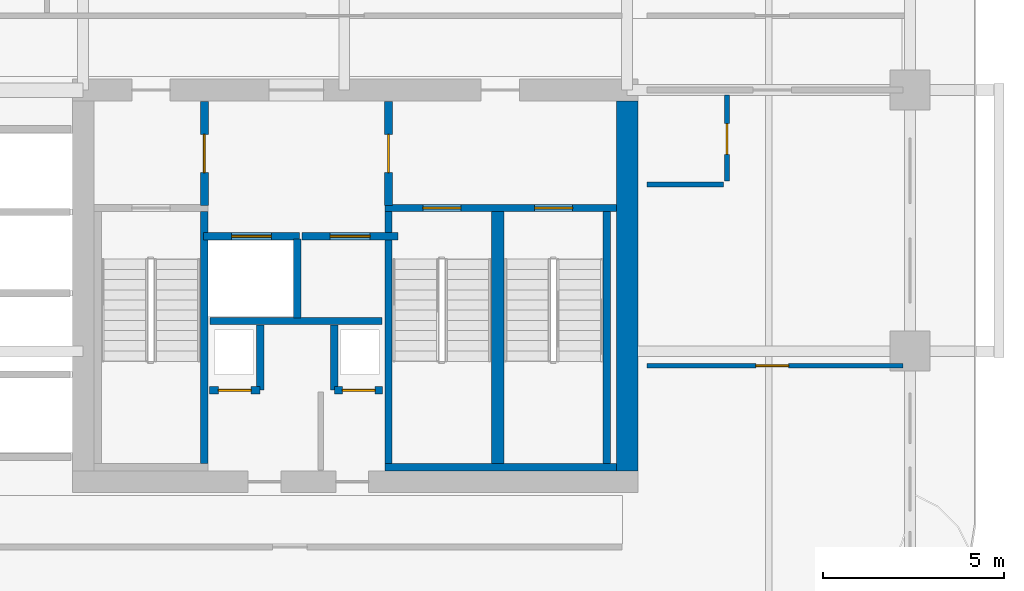
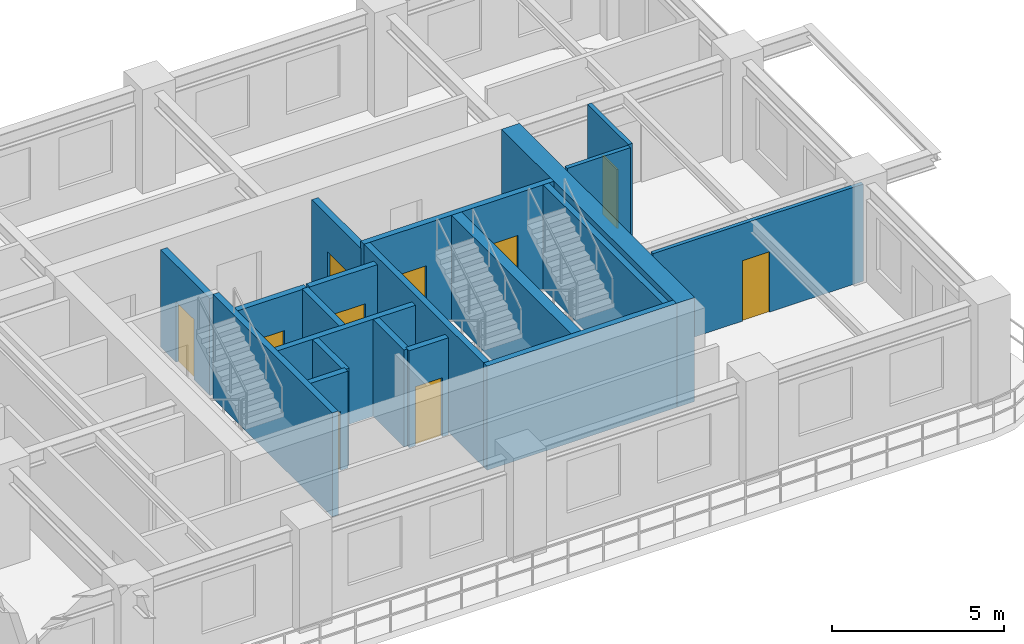
# One storey, part 8 of 18: 20 walls, 10 doors, 10 openings.
"""IFC4 building model written with IfcOpenShell, lengths in metres."""

from ifc_helpers import new_model, si_unit, derived_unit, direction, frame, frame_2d, origin, place, context, subcontext, project, spatial, rectangle, extrude, source, transform, mapped, material, layer, layer_set, type_object, type_shapes, element, fill, save


model = new_model("IFC4")

# Units and contexts
model_context = context("Model", 3, precision=1e-05, world=origin(), true_north=direction((0.0, 1.0)))
body_context = subcontext(model_context, "Body", "Model", "MODEL_VIEW")
ifc_project = project(units=[si_unit("LENGTHUNIT", "METRE"), si_unit("AREAUNIT", "SQUARE_METRE"), si_unit("VOLUMEUNIT", "CUBIC_METRE"), si_unit("PLANEANGLEUNIT", "RADIAN"), si_unit("MASSUNIT", "GRAM", prefix="KILO"), si_unit("THERMODYNAMICTEMPERATUREUNIT", "KELVIN"), si_unit("POWERUNIT", "WATT"), derived_unit("THERMALTRANSMITTANCEUNIT", [(si_unit("POWERUNIT", "WATT"), 1), (si_unit("AREAUNIT", "SQUARE_METRE"), -1), (si_unit("THERMODYNAMICTEMPERATUREUNIT", "KELVIN"), -1)])], contexts=[model_context])

# Site, building, storey
site_placement = place(None, origin())
site = spatial("IfcSite", under=ifc_project, at=site_placement, CompositionType="ELEMENT")
building_placement = place(site_placement, origin())
building = spatial("IfcBuilding", under=site, at=building_placement, Name="Zahravan Archway Hotel and Residences", CompositionType="ELEMENT")
storey_placement = place(building_placement, frame((0.0, 0.0, 58.300048828125)))
storey = spatial("IfcBuildingStorey", under=building, at=storey_placement, Name="L13", CompositionType="ELEMENT", Elevation=58.300048828125)

# Wall
ifc_material_1 = material(Name="Concrete C70/85", Category="concrete")
ifc_layer_1 = layer(ifc_material_1, 0.60009765625, Name="Concrete C70/85", Category="concrete")
ifc_layer_set_1 = layer_set([ifc_layer_1], Name="Concrete C70/85")
wall_type_1 = type_object("IfcWallType", Name="CW-CORE-600", PredefinedType="SHEAR", material=ifc_layer_set_1)
wall_1_placement = place(storey_placement, frame((49.800048828125, 3.89990234375, 0.0), z_axis=(0.0, 0.0, 1.0), x_axis=(0.0, 1.0, 0.0)))
element("IfcWall", 1, at=wall_1_placement, inside=storey, type_object=wall_type_1, Name="L13 Core A Shear E Wall 600 mm", PredefinedType="SHEAR", context=body_context, shape_type="SweptSolid", body=[
    extrude(rectangle(XDim=10.2001953125, YDim=0.60009765625, at=frame_2d((5.10009765625, 0.0))), origin(), (0.0, 0.0, 1.0), 3.699951171875),
])

# Wall, opening, door
ifc_material_2 = material(Name="Fire-Rated Gypsum & Concrete Block", Category="concrete")
ifc_layer_2 = layer(ifc_material_2, 0.219970703125, Name="Fire-Rated Gypsum & Concrete Block", Category="concrete")
ifc_layer_set_2 = layer_set([ifc_layer_2], Name="Fire-Rated Gypsum & Concrete Block")
wall_type_2 = type_object("IfcWallType", Name="PW-COMP-220", PredefinedType="PARTITIONING", material=ifc_layer_set_2)
wall_2_placement = place(storey_placement, frame((38.139892578125, 11.219970703125, 0.0), z_axis=(0.0, 0.0, 1.0), x_axis=(0.0, 1.0, 0.0)))
wall_2 = element("IfcWall", 2, at=wall_2_placement, inside=storey, type_object=wall_type_2, Name="L13 Partition CA-LOBW", PredefinedType="PARTITIONING", context=body_context, shape_type="SweptSolid", body=[
    extrude(rectangle(XDim=2.860107421875, YDim=0.219970703125, at=frame_2d((1.43017578125, 0.0))), origin(), (0.0, 0.0, 1.0), 3.449951171875),
])
opening_1_placement = place(wall_2_placement, frame((0.905029296875, 0.0, 0.0)))
opening_1 = element("IfcOpeningElement", 3, at=opening_1_placement, cuts=wall_2, Name="Opening FD-L2", PredefinedType="OPENING", context=body_context, shape_type="SweptSolid", body=[
    extrude(rectangle(XDim=1.050048828125, YDim=2.14990234375, at=frame_2d((0.52490234375, 1.074951171875))), frame((0.0, 0.1201171875, 0.0), z_axis=(0.0, -1.0, 0.0), x_axis=(1.0, 0.0, 0.0)), (0.0, 0.0, 1.0), 0.239990234375),
])
ifc_material_3 = material(Name="Fire-Rated Painted Steel", Category="steel")
door_type_1 = type_object("IfcDoorType", Name="FD-LOBBY-1100", OperationType="NOTDEFINED", PredefinedType="DOOR", material=ifc_material_3)
shared_shape_1 = source(origin(), body_context, "Body", "SweptSolid", [
    extrude(rectangle(XDim=1.050048828125, YDim=2.14990234375, at=frame_2d((0.52490234375, 1.074951171875))), frame((0.0, 0.02490234375, 0.0), z_axis=(0.0, -1.0, 0.0), x_axis=(1.0, 0.0, 0.0)), (0.0, 0.0, 1.0), 0.050048828125),
])
type_shapes(door_type_1, [shared_shape_1])
door_1_placement = place(opening_1_placement, origin())
door_1 = element("IfcDoor", 4, at=door_1_placement, inside=storey, type_object=door_type_1, Name="L13 Core A West Stair to FSAE Lobby Door", OperationType="SINGLE_SWING_LEFT", OverallHeight=2.14990234375, OverallWidth=1.050048828125, PredefinedType="DOOR", context=body_context, shape_type="MappedRepresentation", body=[
    mapped(shared_shape_1, transform((0.0, 0.0, 0.0), scale=1.0)),
])
fill(opening_1, door_1)

wall_3_placement = place(storey_placement, frame((43.219970703125, 11.219970703125, 0.0), z_axis=(0.0, 0.0, 1.0), x_axis=(0.0, 1.0, 0.0)))
wall_3 = element("IfcWall", 5, at=wall_3_placement, inside=storey, type_object=wall_type_2, Name="L13 Partition CA-LOBE", PredefinedType="PARTITIONING", context=body_context, shape_type="SweptSolid", body=[
    extrude(rectangle(XDim=2.860107421875, YDim=0.219970703125, at=frame_2d((1.43017578125, 0.0))), origin(), (0.0, 0.0, 1.0), 3.449951171875),
])
opening_2_placement = place(wall_3_placement, frame((0.905029296875, 0.0, 0.0)))
opening_2 = element("IfcOpeningElement", 6, at=opening_2_placement, cuts=wall_3, Name="Opening FD-L2", PredefinedType="OPENING", context=body_context, shape_type="SweptSolid", body=[
    extrude(rectangle(XDim=1.050048828125, YDim=2.14990234375, at=frame_2d((0.52490234375, 1.074951171875))), frame((0.0, 0.1201171875, 0.0), z_axis=(0.0, -1.0, 0.0), x_axis=(1.0, 0.0, 0.0)), (0.0, 0.0, 1.0), 0.239990234375),
])
door_2_placement = place(opening_2_placement, origin())
door_2 = element("IfcDoor", 7, at=door_2_placement, inside=storey, type_object=door_type_1, Name="L13 Core A East Stair to FSAE Lobby Door", OperationType="SINGLE_SWING_RIGHT", OverallHeight=2.14990234375, OverallWidth=1.050048828125, PredefinedType="DOOR", context=body_context, shape_type="MappedRepresentation", body=[
    mapped(shared_shape_1, transform((0.0, 0.0, 0.0), scale=1.0)),
])
fill(opening_2, door_2)

ifc_material_4 = material(Name="Acoustic Stud Partition")
ifc_layer_3 = layer(ifc_material_4, 0.125, Name="Acoustic Stud Partition")
ifc_layer_set_3 = layer_set([ifc_layer_3], Name="Acoustic Stud Partition")
wall_type_3 = type_object("IfcWallType", Name="PW-INT-125", PredefinedType="PARTITIONING", material=ifc_layer_set_3)
wall_4_placement = place(storey_placement, frame((50.340087890625, 6.800048828125, 0.0), z_axis=(0.0, 0.0, 1.0), x_axis=(1.0, 0.0, 0.0)))
wall_4 = element("IfcWall", 8, at=wall_4_placement, inside=storey, type_object=wall_type_3, Name="L13 Partition EA-PM", PredefinedType="PARTITIONING", context=body_context, shape_type="SweptSolid", body=[
    extrude(rectangle(XDim=7.06982421875, YDim=0.125, at=frame_2d((3.534912109375, 0.0))), origin(), (0.0, 0.0, 1.0), 3.449951171875),
])
opening_3_placement = place(wall_4_placement, frame((3.010009765625, 0.0, 0.0)))
opening_3 = element("IfcOpeningElement", 9, at=opening_3_placement, cuts=wall_4, Name="Opening D-I2", PredefinedType="OPENING", context=body_context, shape_type="SweptSolid", body=[
    extrude(rectangle(XDim=0.89990234375, YDim=2.14990234375, at=frame_2d((0.449951171875, 1.074951171875))), frame((0.0, 0.072509765625, 0.0), z_axis=(0.0, -1.0, 0.0), x_axis=(1.0, 0.0, 0.0)), (0.0, 0.0, 1.0), 0.14501953125),
])
ifc_material_5 = material(Name="Hardwood Veneer Timber", Category="wood")
door_type_2 = type_object("IfcDoorType", Name="ID-INT-900", OperationType="NOTDEFINED", PredefinedType="DOOR", material=ifc_material_5)
shared_shape_2 = source(origin(), body_context, "Body", "SweptSolid", [
    extrude(rectangle(XDim=0.89990234375, YDim=2.14990234375, at=frame_2d((0.449951171875, 1.074951171875))), frame((0.0, 0.02490234375, 0.0), z_axis=(0.0, -1.0, 0.0), x_axis=(1.0, 0.0, 0.0)), (0.0, 0.0, 1.0), 0.050048828125),
])
type_shapes(door_type_2, [shared_shape_2])
door_3_placement = place(opening_3_placement, origin())
door_3 = element("IfcDoor", 10, at=door_3_placement, inside=storey, type_object=door_type_2, Name="L13 East Suite Bedroom Door", OperationType="SINGLE_SWING_LEFT", OverallHeight=2.14990234375, OverallWidth=0.89990234375, PredefinedType="DOOR", context=body_context, shape_type="MappedRepresentation", body=[
    mapped(shared_shape_2, transform((0.0, 0.0, 0.0), scale=1.0)),
])
fill(opening_3, door_3)

# Walls
ifc_layer_4 = layer(ifc_material_2, 0.199951171875, Name="Fire-Rated Gypsum & Concrete Block", Category="concrete")
ifc_layer_set_4 = layer_set([ifc_layer_4], Name="Fire-Rated Gypsum & Concrete Block")
wall_type_4 = type_object("IfcWallType", Name="PW-SHAFT-200", PredefinedType="PARTITIONING", material=ifc_layer_set_4)
wall_5_placement = place(storey_placement, frame((38.300048828125, 8.030029296875, 0.0), z_axis=(0.0, 0.0, 1.0), x_axis=(1.0, 0.0, 0.0)))
element("IfcWall", 11, at=wall_5_placement, inside=storey, type_object=wall_type_4, Name="L13 Partition CA-FLS", PredefinedType="PARTITIONING", context=body_context, shape_type="SweptSolid", body=[
    extrude(rectangle(XDim=4.739990234375, YDim=0.199951171875, at=frame_2d((2.3701171875, 0.0))), origin(), (0.0, 0.0, 1.0), 3.449951171875),
])
wall_6_placement = place(storey_placement, frame((40.699951171875, 8.1201171875, 0.0), z_axis=(0.0, 0.0, 1.0), x_axis=(0.0, 1.0, 0.0)))
element("IfcWall", 12, at=wall_6_placement, inside=storey, type_object=wall_type_4, Name="L13 Partition CA-FLM", PredefinedType="PARTITIONING", context=body_context, shape_type="SweptSolid", body=[
    extrude(rectangle(XDim=2.179931640625, YDim=0.199951171875, at=frame_2d((1.08984375, 0.0))), origin(), (0.0, 0.0, 1.0), 3.449951171875),
])

# Wall, opening, door
wall_7_placement = place(storey_placement, frame((38.2900390625, 6.1201171875, 0.0), z_axis=(0.0, 0.0, 1.0), x_axis=(1.0, 0.0, 0.0)))
wall_7 = element("IfcWall", 13, at=wall_7_placement, inside=storey, type_object=wall_type_4, Name="L13 Partition CA-SMKS", PredefinedType="PARTITIONING", context=body_context, shape_type="SweptSolid", body=[
    extrude(rectangle(XDim=1.3798828125, YDim=0.199951171875, at=frame_2d((0.68994140625, 0.0))), origin(), (0.0, 0.0, 1.0), 3.449951171875),
])
opening_4_placement = place(wall_7_placement, frame((0.239990234375, 0.0, 0.0)))
opening_4 = element("IfcOpeningElement", 14, at=opening_4_placement, cuts=wall_7, Name="Opening FD-R1", PredefinedType="OPENING", context=body_context, shape_type="SweptSolid", body=[
    extrude(rectangle(XDim=0.89990234375, YDim=2.10009765625, at=frame_2d((0.449951171875, 1.050048828125))), frame((0.0, 0.10986328125, 0.0), z_axis=(0.0, -1.0, 0.0), x_axis=(1.0, 0.0, 0.0)), (0.0, 0.0, 1.0), 0.219970703125),
])
door_type_3 = type_object("IfcDoorType", Name="FD-RISER-900", OperationType="NOTDEFINED", PredefinedType="DOOR", material=ifc_material_3)
shared_shape_3 = source(origin(), body_context, "Body", "SweptSolid", [
    extrude(rectangle(XDim=0.89990234375, YDim=2.10009765625, at=frame_2d((0.449951171875, 1.050048828125))), frame((0.0, 0.02490234375, 0.0), z_axis=(0.0, -1.0, 0.0), x_axis=(1.0, 0.0, 0.0)), (0.0, 0.0, 1.0), 0.050048828125),
])
type_shapes(door_type_3, [shared_shape_3])
door_4_placement = place(opening_4_placement, origin())
door_4 = element("IfcDoor", 15, at=door_4_placement, inside=storey, type_object=door_type_3, Name="L13 Smoke Riser Access Door", OperationType="SINGLE_SWING_LEFT", OverallHeight=2.10009765625, OverallWidth=0.89990234375, PredefinedType="DOOR", context=body_context, shape_type="MappedRepresentation", body=[
    mapped(shared_shape_3, transform((0.0, 0.0, 0.0), scale=1.0)),
])
fill(opening_4, door_4)

# Wall
wall_8_placement = place(storey_placement, frame((39.679931640625, 6.1298828125, 0.0), z_axis=(0.0, 0.0, 1.0), x_axis=(0.0, 1.0, 0.0)))
element("IfcWall", 16, at=wall_8_placement, inside=storey, type_object=wall_type_4, Name="L13 Partition CA-SMKE", PredefinedType="PARTITIONING", context=body_context, shape_type="SweptSolid", body=[
    extrude(rectangle(XDim=1.7900390625, YDim=0.199951171875, at=frame_2d((0.89501953125, 0.0))), origin(), (0.0, 0.0, 1.0), 3.449951171875),
])

# Wall, opening, door
wall_9_placement = place(storey_placement, frame((41.72998046875, 6.1201171875, 0.0), z_axis=(0.0, 0.0, 1.0), x_axis=(1.0, 0.0, 0.0)))
wall_9 = element("IfcWall", 17, at=wall_9_placement, inside=storey, type_object=wall_type_4, Name="L13 Partition CA-MEPS", PredefinedType="PARTITIONING", context=body_context, shape_type="SweptSolid", body=[
    extrude(rectangle(XDim=1.320068359375, YDim=0.199951171875, at=frame_2d((0.66015625, 0.0))), origin(), (0.0, 0.0, 1.0), 3.449951171875),
])
opening_5_placement = place(wall_9_placement, frame((0.219970703125, 0.0, 0.0)))
opening_5 = element("IfcOpeningElement", 18, at=opening_5_placement, cuts=wall_9, Name="Opening FD-R1", PredefinedType="OPENING", context=body_context, shape_type="SweptSolid", body=[
    extrude(rectangle(XDim=0.89990234375, YDim=2.10009765625, at=frame_2d((0.449951171875, 1.050048828125))), frame((0.0, 0.10986328125, 0.0), z_axis=(0.0, -1.0, 0.0), x_axis=(1.0, 0.0, 0.0)), (0.0, 0.0, 1.0), 0.219970703125),
])
door_5_placement = place(opening_5_placement, origin())
door_5 = element("IfcDoor", 19, at=door_5_placement, inside=storey, type_object=door_type_3, Name="L13 MEP Riser Access Door", OperationType="SINGLE_SWING_RIGHT", OverallHeight=2.10009765625, OverallWidth=0.89990234375, PredefinedType="DOOR", context=body_context, shape_type="MappedRepresentation", body=[
    mapped(shared_shape_3, transform((0.0, 0.0, 0.0), scale=1.0)),
])
fill(opening_5, door_5)

# Wall
wall_10_placement = place(storey_placement, frame((41.719970703125, 6.1298828125, 0.0), z_axis=(0.0, 0.0, 1.0), x_axis=(0.0, 1.0, 0.0)))
element("IfcWall", 20, at=wall_10_placement, inside=storey, type_object=wall_type_4, Name="L13 Partition CA-MEPW", PredefinedType="PARTITIONING", context=body_context, shape_type="SweptSolid", body=[
    extrude(rectangle(XDim=1.7900390625, YDim=0.199951171875, at=frame_2d((0.89501953125, 0.0))), origin(), (0.0, 0.0, 1.0), 3.449951171875),
])

# Wall, opening, door
wall_11_placement = place(storey_placement, frame((38.1201171875, 10.3701171875, 0.0), z_axis=(0.0, 0.0, 1.0), x_axis=(1.0, 0.0, 0.0)))
wall_11 = element("IfcWall", 21, at=wall_11_placement, inside=storey, type_object=wall_type_4, Name="L13 Lift FL-1 Front Wall", PredefinedType="PARTITIONING", context=body_context, shape_type="SweptSolid", body=[
    extrude(rectangle(XDim=2.639892578125, YDim=0.199951171875, at=frame_2d((1.31982421875, 0.0))), origin(), (0.0, 0.0, 1.0), 3.449951171875),
])
opening_6_placement = place(wall_11_placement, frame((0.77001953125, 0.0, 0.0)))
opening_6 = element("IfcOpeningElement", 22, at=opening_6_placement, cuts=wall_11, Name="Opening LD", PredefinedType="OPENING", context=body_context, shape_type="SweptSolid", body=[
    extrude(rectangle(XDim=1.10009765625, YDim=2.199951171875, at=frame_2d((0.550048828125, 1.10009765625))), frame((0.0, 0.10986328125, 0.0), z_axis=(0.0, -1.0, 0.0), x_axis=(1.0, 0.0, 0.0)), (0.0, 0.0, 1.0), 0.219970703125),
])
ifc_material_6 = material(Name="Brushed Stainless Steel", Category="steel")
door_type_4 = type_object("IfcDoorType", Name="DR-LIFT-LD", OperationType="SLIDING_TO_LEFT", PredefinedType="DOOR", material=ifc_material_6)
shared_shape_4 = source(origin(), body_context, "Body", "SweptSolid", [
    extrude(rectangle(XDim=1.10009765625, YDim=2.199951171875, at=frame_2d((0.550048828125, 1.10009765625))), frame((0.0, 0.02490234375, 0.0), z_axis=(0.0, -1.0, 0.0), x_axis=(1.0, 0.0, 0.0)), (0.0, 0.0, 1.0), 0.050048828125),
])
type_shapes(door_type_4, [shared_shape_4])
door_6_placement = place(opening_6_placement, origin())
door_6 = element("IfcDoor", 23, at=door_6_placement, inside=storey, type_object=door_type_4, Name="L13 Lift FL-1 Sliding Landing Door", OperationType="SLIDING_TO_LEFT", OverallHeight=2.199951171875, OverallWidth=1.10009765625, PredefinedType="DOOR", context=body_context, shape_type="MappedRepresentation", body=[
    mapped(shared_shape_4, transform((0.0, 0.0, 0.0), scale=1.0)),
])
fill(opening_6, door_6)

wall_12_placement = place(storey_placement, frame((40.840087890625, 10.3701171875, 0.0), z_axis=(0.0, 0.0, 1.0), x_axis=(1.0, 0.0, 0.0)))
wall_12 = element("IfcWall", 24, at=wall_12_placement, inside=storey, type_object=wall_type_4, Name="L13 Lift FL-2 Front Wall", PredefinedType="PARTITIONING", context=body_context, shape_type="SweptSolid", body=[
    extrude(rectangle(XDim=2.639892578125, YDim=0.199951171875, at=frame_2d((1.31982421875, 0.0))), origin(), (0.0, 0.0, 1.0), 3.449951171875),
])
opening_7_placement = place(wall_12_placement, frame((0.77001953125, 0.0, 0.0)))
opening_7 = element("IfcOpeningElement", 25, at=opening_7_placement, cuts=wall_12, Name="Opening LD", PredefinedType="OPENING", context=body_context, shape_type="SweptSolid", body=[
    extrude(rectangle(XDim=1.10009765625, YDim=2.199951171875, at=frame_2d((0.550048828125, 1.10009765625))), frame((0.0, 0.10986328125, 0.0), z_axis=(0.0, -1.0, 0.0), x_axis=(1.0, 0.0, 0.0)), (0.0, 0.0, 1.0), 0.219970703125),
])
door_7_placement = place(opening_7_placement, origin())
door_7 = element("IfcDoor", 26, at=door_7_placement, inside=storey, type_object=door_type_4, Name="L13 Lift FL-2 Sliding Landing Door", OperationType="SLIDING_TO_LEFT", OverallHeight=2.199951171875, OverallWidth=1.10009765625, PredefinedType="DOOR", context=body_context, shape_type="MappedRepresentation", body=[
    mapped(shared_shape_4, transform((0.0, 0.0, 0.0), scale=1.0)),
])
fill(opening_7, door_7)

ifc_material_7 = material(Name="Moisture-Resistant Blockwork", Category="masonry")
ifc_layer_5 = layer(ifc_material_7, 0.139892578125, Name="Moisture-Resistant Blockwork", Category="masonry")
ifc_layer_set_5 = layer_set([ifc_layer_5], Name="Moisture-Resistant Blockwork")
wall_type_5 = type_object("IfcWallType", Name="PW-WET-140", PredefinedType="PARTITIONING", material=ifc_layer_set_5)
wall_13_placement = place(storey_placement, frame((52.550048828125, 11.889892578125, 0.0), z_axis=(0.0, 0.0, 1.0), x_axis=(0.0, 1.0, 0.0)))
wall_13 = element("IfcWall", 27, at=wall_13_placement, inside=storey, type_object=wall_type_5, Name="L13 Partition EA-PBV", PredefinedType="PARTITIONING", context=body_context, shape_type="SweptSolid", body=[
    extrude(rectangle(XDim=2.3701171875, YDim=0.139892578125, at=frame_2d((1.18505859375, 0.0))), origin(), (0.0, 0.0, 1.0), 3.449951171875),
])
opening_8_placement = place(wall_13_placement, frame((0.735107421875, 0.0, 0.0)))
opening_8 = element("IfcOpeningElement", 28, at=opening_8_placement, cuts=wall_13, Name="Opening D-B1", PredefinedType="OPENING", context=body_context, shape_type="SweptSolid", body=[
    extrude(rectangle(XDim=0.85009765625, YDim=2.10009765625, at=frame_2d((0.425048828125, 1.050048828125))), frame((0.0, 0.080078125, 0.0), z_axis=(0.0, -1.0, 0.0), x_axis=(1.0, 0.0, 0.0)), (0.0, 0.0, 1.0), 0.159912109375),
])
door_type_5 = type_object("IfcDoorType", Name="ID-BATH-850", OperationType="NOTDEFINED", PredefinedType="DOOR", material=ifc_material_5)
shared_shape_5 = source(origin(), body_context, "Body", "SweptSolid", [
    extrude(rectangle(XDim=0.85009765625, YDim=2.10009765625, at=frame_2d((0.425048828125, 1.050048828125))), frame((0.0, 0.02490234375, 0.0), z_axis=(0.0, -1.0, 0.0), x_axis=(1.0, 0.0, 0.0)), (0.0, 0.0, 1.0), 0.050048828125),
])
type_shapes(door_type_5, [shared_shape_5])
door_8_placement = place(opening_8_placement, origin())
door_8 = element("IfcDoor", 29, at=door_8_placement, inside=storey, type_object=door_type_5, Name="L13 East Suite En-Suite Door", OperationType="SINGLE_SWING_RIGHT", OverallHeight=2.10009765625, OverallWidth=0.85009765625, PredefinedType="DOOR", context=body_context, shape_type="MappedRepresentation", body=[
    mapped(shared_shape_5, transform((0.0, 0.0, 0.0), scale=1.0)),
])
fill(opening_8, door_8)

# Walls
wall_14_placement = place(storey_placement, frame((50.340087890625, 11.800048828125, 0.0), z_axis=(0.0, 0.0, 1.0), x_axis=(1.0, 0.0, 0.0)))
element("IfcWall", 30, at=wall_14_placement, inside=storey, type_object=wall_type_5, Name="L13 Partition EA-PBH", PredefinedType="PARTITIONING", context=body_context, shape_type="SweptSolid", body=[
    extrude(rectangle(XDim=2.119873046875, YDim=0.139892578125, at=frame_2d((1.06005859375, 0.0))), origin(), (0.0, 0.0, 1.0), 3.449951171875),
])
ifc_material_8 = material(Name="Concrete C50/60", Category="concrete")
ifc_layer_6 = layer(ifc_material_8, 0.199951171875, Name="Concrete C50/60", Category="concrete")
ifc_layer_set_6 = layer_set([ifc_layer_6], Name="Concrete C50/60")
wall_type_6 = type_object("IfcWallType", Name="SW-STAIR-200", PredefinedType="SHEAR", material=ifc_layer_set_6)
wall_15_placement = place(storey_placement, frame((38.139892578125, 4.10009765625, 0.0), z_axis=(0.0, 0.0, 1.0), x_axis=(0.0, 1.0, 0.0)))
element("IfcWall", 31, at=wall_15_placement, inside=storey, type_object=wall_type_6, Name="L13 Stairwell RC Wall CA-SA1E", PredefinedType="SHEAR", context=body_context, shape_type="SweptSolid", body=[
    extrude(rectangle(XDim=6.949951171875, YDim=0.199951171875, at=frame_2d((3.47509765625, 0.0))), origin(), (0.0, 0.0, 1.0), 3.699951171875),
])
wall_16_placement = place(storey_placement, frame((43.1201171875, 4.0, 0.0), z_axis=(0.0, 0.0, 1.0), x_axis=(1.0, 0.0, 0.0)))
element("IfcWall", 32, at=wall_16_placement, inside=storey, type_object=wall_type_6, Name="L13 Stairwell RC Wall CA-SA23S", PredefinedType="SHEAR", context=body_context, shape_type="SweptSolid", body=[
    extrude(rectangle(XDim=6.3798828125, YDim=0.199951171875, at=frame_2d((3.18994140625, 0.0))), origin(), (0.0, 0.0, 1.0), 3.699951171875),
])
for number, where, z_axis, x_axis, name in (
    (33, (43.219970703125, 4.10009765625, 0.0), (0.0, 0.0, 1.0), (0.0, 1.0, 0.0), "L13 Stairwell RC Wall CA-SA2W"),
    (34, (49.239990234375, 4.10009765625, 0.0), (0.0, 0.0, 1.0), (0.0, 1.0, 0.0), "L13 Stairwell RC Wall CA-SA3E"),
):
    element("IfcWall", number, at=place(storey_placement, frame(where, z_axis=z_axis, x_axis=x_axis)), inside=storey, type_object=wall_type_6, Name=name, PredefinedType="SHEAR", context=body_context, shape_type="SweptSolid", body=[
        extrude(rectangle(XDim=6.949951171875, YDim=0.199951171875, at=frame_2d((3.47509765625, 0.0))), origin(), (0.0, 0.0, 1.0), 3.699951171875),
    ])

# Wall, openings, doors
wall_17_placement = place(storey_placement, frame((43.1201171875, 11.14990234375, 0.0), z_axis=(0.0, 0.0, 1.0), x_axis=(1.0, 0.0, 0.0)))
wall_17 = element("IfcWall", 35, at=wall_17_placement, inside=storey, type_object=wall_type_6, Name="L13 Stairwell RC Wall CA-SA23N", PredefinedType="SHEAR", context=body_context, shape_type="SweptSolid", body=[
    extrude(rectangle(XDim=6.3798828125, YDim=0.199951171875, at=frame_2d((3.18994140625, 0.0))), origin(), (0.0, 0.0, 1.0), 3.699951171875),
])
opening_9_placement = place(wall_17_placement, frame((1.044921875, 0.0, 0.0)))
opening_9 = element("IfcOpeningElement", 36, at=opening_9_placement, cuts=wall_17, Name="Opening FD-S1", PredefinedType="OPENING", context=body_context, shape_type="SweptSolid", body=[
    extrude(rectangle(XDim=1.050048828125, YDim=2.199951171875, at=frame_2d((0.52490234375, 1.10009765625))), frame((0.0, 0.10986328125, 0.0), z_axis=(0.0, -1.0, 0.0), x_axis=(1.0, 0.0, 0.0)), (0.0, 0.0, 1.0), 0.219970703125),
])
opening_10_placement = place(wall_17_placement, frame((4.125, 0.0, 0.0)))
opening_10 = element("IfcOpeningElement", 37, at=opening_10_placement, cuts=wall_17, Name="Opening FD-S1", PredefinedType="OPENING", context=body_context, shape_type="SweptSolid", body=[
    extrude(rectangle(XDim=1.050048828125, YDim=2.199951171875, at=frame_2d((0.52490234375, 1.10009765625))), frame((0.0, 0.10986328125, 0.0), z_axis=(0.0, -1.0, 0.0), x_axis=(1.0, 0.0, 0.0)), (0.0, 0.0, 1.0), 0.219970703125),
])
door_type_6 = type_object("IfcDoorType", Name="FD-STAIR-1100", OperationType="NOTDEFINED", PredefinedType="DOOR", material=ifc_material_3)
shared_shape_6 = source(origin(), body_context, "Body", "SweptSolid", [
    extrude(rectangle(XDim=1.050048828125, YDim=2.199951171875, at=frame_2d((0.52490234375, 1.10009765625))), frame((0.0, 0.02490234375, 0.0), z_axis=(0.0, -1.0, 0.0), x_axis=(1.0, 0.0, 0.0)), (0.0, 0.0, 1.0), 0.050048828125),
])
type_shapes(door_type_6, [shared_shape_6])
door_9_placement = place(opening_9_placement, origin())
door_9 = element("IfcDoor", 38, at=door_9_placement, inside=storey, type_object=door_type_6, Name="L13 Stair ST-A2 Door", OperationType="SINGLE_SWING_LEFT", OverallHeight=2.199951171875, OverallWidth=1.050048828125, PredefinedType="DOOR", context=body_context, shape_type="MappedRepresentation", body=[
    mapped(shared_shape_6, transform((0.0, 0.0, 0.0), scale=1.0)),
])
fill(opening_9, door_9)
door_10_placement = place(opening_10_placement, origin())
door_10 = element("IfcDoor", 39, at=door_10_placement, inside=storey, type_object=door_type_6, Name="L13 Stair ST-A3 Door", OperationType="SINGLE_SWING_RIGHT", OverallHeight=2.199951171875, OverallWidth=1.050048828125, PredefinedType="DOOR", context=body_context, shape_type="MappedRepresentation", body=[
    mapped(shared_shape_6, transform((0.0, 0.0, 0.0), scale=1.0)),
])
fill(opening_10, door_10)

# Wall
ifc_layer_7 = layer(ifc_material_8, 0.340087890625, Name="Concrete C50/60", Category="concrete")
ifc_layer_set_7 = layer_set([ifc_layer_7], Name="Concrete C50/60")
wall_type_7 = type_object("IfcWallType", Name="SW-STAIR-340", PredefinedType="SHEAR", material=ifc_layer_set_7)
wall_18_placement = place(storey_placement, frame((46.22998046875, 4.10009765625, 0.0), z_axis=(0.0, 0.0, 1.0), x_axis=(0.0, 1.0, 0.0)))
element("IfcWall", 40, at=wall_18_placement, inside=storey, type_object=wall_type_7, Name="L13 Stairwell RC Wall CA-SA23M", PredefinedType="SHEAR", context=body_context, shape_type="SweptSolid", body=[
    extrude(rectangle(XDim=6.949951171875, YDim=0.340087890625, at=frame_2d((3.47509765625, 0.0))), origin(), (0.0, 0.0, 1.0), 3.699951171875),
])

save(model, "model.ifc")
